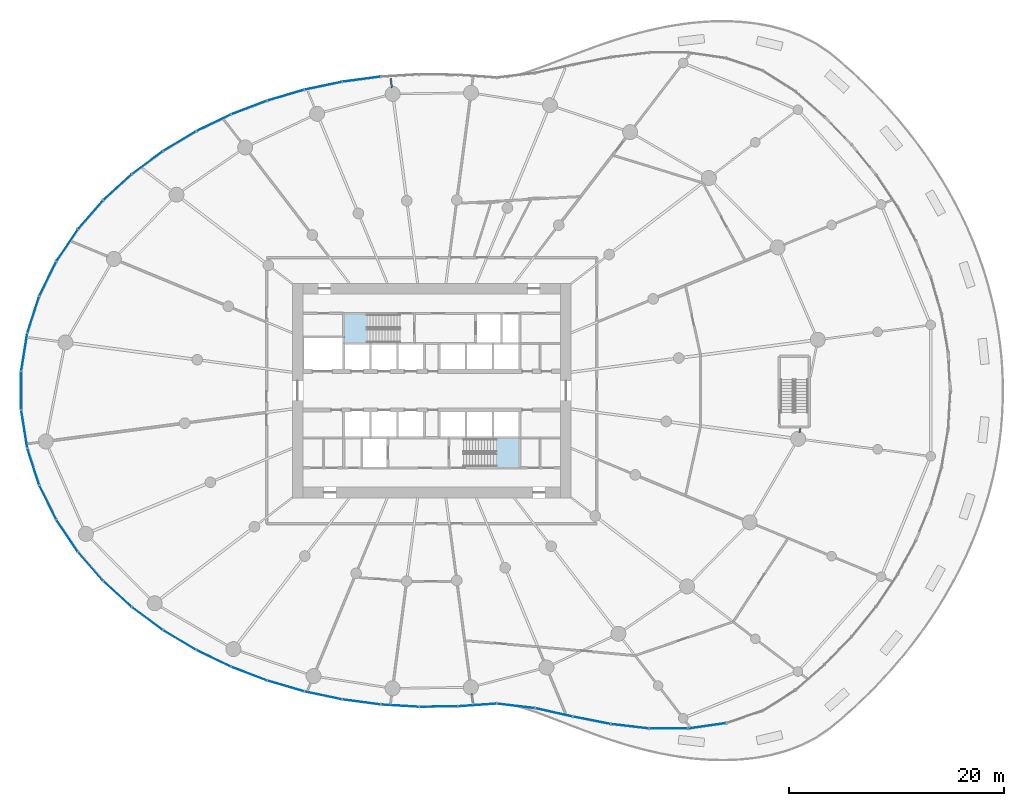
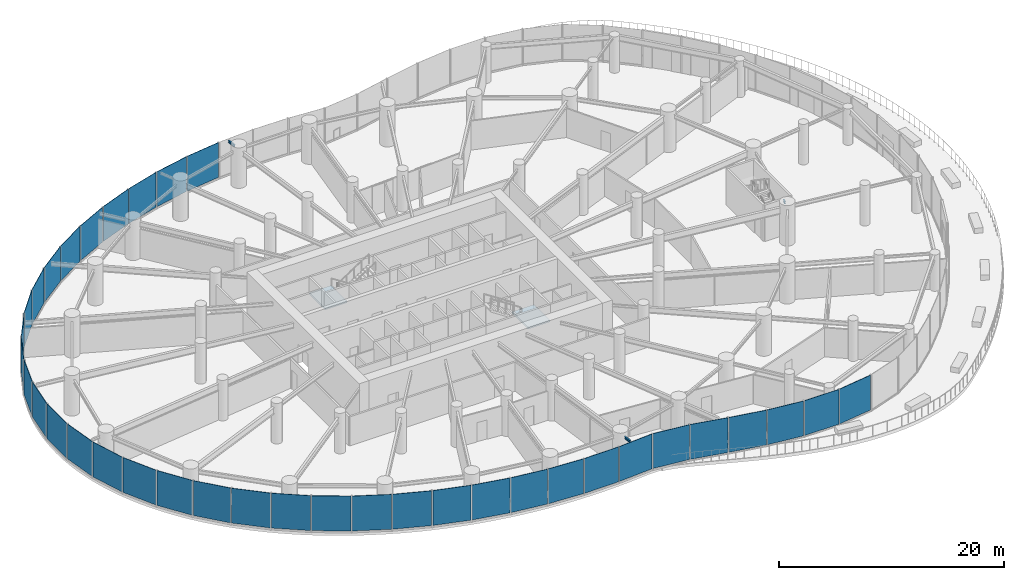
# One storey, part 9 of 21: 36 plates, 3 beams, 2 slabs, 9 elements without a shape of their own.
"""IFC4 building model written with IfcOpenShell, lengths in metres."""

from ifc_helpers import new_model, si_unit, direction, frame, origin, origin_2d, place, context, subcontext, project, spatial, line, indexed_curve, rectangle, i_section, outline, extrude, source, transform, mapped, material, layer, layer_set, material_profile, profile_set, type_object, element, aggregate, save


model = new_model("IFC4")

# Units and contexts
model_context = context("Model", 3, precision=1e-05, world=origin(), true_north=direction((0.0, 1.0)))
body_context = subcontext(model_context, "Body", "Model", "MODEL_VIEW")
ifc_project = project(units=[si_unit("LENGTHUNIT", "METRE"), si_unit("AREAUNIT", "SQUARE_METRE"), si_unit("VOLUMEUNIT", "CUBIC_METRE"), si_unit("PLANEANGLEUNIT", "RADIAN"), si_unit("MASSUNIT", "GRAM", prefix="KILO")], contexts=[model_context])

# Site, building, storey
site_placement = place(None, origin())
site = spatial("IfcSite", under=ifc_project, at=site_placement, CompositionType="ELEMENT")
building_placement = place(site_placement, origin())
building = spatial("IfcBuilding", under=site, at=building_placement, Name="Spindrift Exchange Tower", CompositionType="ELEMENT")
storey_placement = place(building_placement, frame((0.0, 0.0, 9.39990234375)))
storey = spatial("IfcBuildingStorey", under=building, at=storey_placement, Name="L02", CompositionType="ELEMENT", Elevation=9.39990234375)

# Beams
ifc_material_1 = material(Name="Steel Grade 300", Category="steel")
ifc_material_profile_1 = material_profile(ifc_material_1, i_section(OverallWidth=0.14599609375, OverallDepth=0.251953125, WebThickness=0.006103515625, FlangeThickness=0.008544921875, FilletRadius=0.011962890625, at=origin_2d()), Name="250UB31.4")
ifc_profile_set_1 = profile_set([ifc_material_profile_1], Name="Steel Grade 300")
beam_type_1 = type_object("IfcBeamType", Name="Cantilever Beam 250UB31.4 Steel Grade 300", PredefinedType="BEAM", material=ifc_profile_set_1)
shared_shape_1 = source(origin(), body_context, "Body", "SweptSolid", [
    extrude(i_section(OverallWidth=0.14599609375, OverallDepth=0.251953125, WebThickness=0.006103515625, FlangeThickness=0.008544921875, FilletRadius=0.011962890625, at=origin_2d()), origin(), (0.0, 0.0, 1.0), 0.892333984375),
])
for number, where, z_axis, x_axis, name in (
    (1, (48.28271484375, 76.236328125, 3.82421875), (-0.130765879186, 0.99141327651, 0.0), (-0.99141327651, -0.130765879186, 0.0), "L02 cantilever beam R07T"),
    (2, (55.71728515625, 19.763671875, 3.82421875), (0.130765879186, -0.99141327651, 0.0), (0.99141327651, 0.130765879186, 0.0), "L02 cantilever beam R19T"),
):
    element("IfcBeam", number, at=place(storey_placement, frame(where, z_axis=z_axis, x_axis=x_axis)), inside=storey, type_object=beam_type_1, Name=name, PredefinedType="BEAM", context=body_context, shape_type="MappedRepresentation", body=[
        mapped(shared_shape_1, transform((0.0, 0.0, 0.0), scale=1.0)),
    ])
ifc_material_profile_2 = material_profile(ifc_material_1, i_section(OverallWidth=0.14599609375, OverallDepth=0.251953125, WebThickness=0.006103515625, FlangeThickness=0.008544921875, FilletRadius=0.011962890625, at=origin_2d()), Name="250UB31.4")
ifc_profile_set_2 = profile_set([ifc_material_profile_2], Name="Steel Grade 300")
beam_type_2 = type_object("IfcBeamType", Name="Edge Beam 250UB31.4 Steel Grade 300", PredefinedType="SPANDREL", material=ifc_profile_set_2)
shared_shape_2 = source(origin(), body_context, "Body", "SweptSolid", [
    extrude(i_section(OverallWidth=0.14599609375, OverallDepth=0.251953125, WebThickness=0.006103515625, FlangeThickness=0.008544921875, FilletRadius=0.011962890625, at=origin_2d()), origin(), (0.0, 0.0, 1.0), 0.4169921875),
])
beam_placement = place(storey_placement, frame((86.27392578125, 44.071533203125, 3.82421875), z_axis=(0.194426549489, 0.9809170795, 0.0), x_axis=(-0.9809170795, 0.194426549489, 0.0)))
element("IfcBeam", 3, at=beam_placement, inside=storey, type_object=beam_type_2, Name="L02 edge beam E24a", PredefinedType="SPANDREL", context=body_context, shape_type="MappedRepresentation", body=[
    mapped(shared_shape_2, transform((0.0, 0.0, 0.0), scale=1.0)),
])

# Stair, slab
ifc_material_2 = material(Name="Concrete 50 MPa", Category="concrete")
stair_type = type_object("IfcStairType", Name="ST-1250-R183", PredefinedType="HALF_TURN_STAIR", material=ifc_material_2)
stair_1_placement = place(storey_placement, origin())
stair_1 = element("IfcStair", 4, at=stair_1_placement, inside=storey, type_object=stair_type, Name="L02 Exit stair ST1", PredefinedType="HALF_TURN_STAIR")
ifc_layer_1 = layer(ifc_material_2, 0.199951171875)
ifc_layer_set_1 = layer_set([ifc_layer_1], Name="SL-LANDING")
slab_type = type_object("IfcSlabType", Name="SL-LANDING", PredefinedType="LANDING", material=ifc_layer_set_1)
slab_1_placement = place(storey_placement, frame((0.0, 0.0, 2.0)))
slab_1 = element("IfcSlab", 5, at=slab_1_placement, type_object=slab_type, Name="ST1 landing 1", PredefinedType="LANDING", context=body_context, shape_type="SweptSolid", body=[
    extrude(outline(indexed_curve([(46.050048828125, 52.39990234375), (43.800048828125, 52.39990234375), (43.800048828125, 55.199951171875), (46.050048828125, 55.199951171875)], segments=[line(1, 2, 3, 4, 1)], self_intersect=False)), origin(), (0.0, 0.0, 1.0), 0.2001953125),
])
aggregate(stair_1, [slab_1])

stair_2_placement = place(storey_placement, origin())
stair_2 = element("IfcStair", 6, at=stair_2_placement, inside=storey, type_object=stair_type, Name="L02 Exit stair ST2", PredefinedType="HALF_TURN_STAIR")
slab_2_placement = place(storey_placement, frame((0.0, 0.0, 2.0)))
slab_2 = element("IfcSlab", 7, at=slab_2_placement, type_object=slab_type, Name="ST2 landing 1", PredefinedType="LANDING", context=body_context, shape_type="SweptSolid", body=[
    extrude(outline(indexed_curve([(57.949951171875, 43.60009765625), (60.199951171875, 43.60009765625), (60.199951171875, 40.800048828125), (57.949951171875, 40.800048828125)], segments=[line(1, 2, 3, 4, 1)], self_intersect=False)), origin(), (0.0, 0.0, 1.0), 0.2001953125),
])
aggregate(stair_2, [slab_2])

# Curtain wall, plate
ifc_material_3 = material(Name="Fritted laminated glass with bronze frame", Category="glass")
ifc_layer_2 = layer(ifc_material_3, 0.219970703125)
ifc_layer_set_2 = layer_set([ifc_layer_2], Name="PODIUM BRONZE GLAZED WALL")
curtain_wall_type = type_object("IfcCurtainWallType", Name="PODIUM BRONZE GLAZED WALL", PredefinedType="NOTDEFINED", material=ifc_layer_set_2)
curtain_wall_1_placement = place(storey_placement, origin())
curtain_wall_1 = element("IfcCurtainWall", 8, at=curtain_wall_1_placement, inside=storey, type_object=curtain_wall_type, Name="L02 Podium Bronze Glazed Wall run 5", PredefinedType="NOTDEFINED")
ifc_material_4 = material(Name="Bronze fritted laminated glass, open frit", Category="glass")
ifc_layer_3 = layer(ifc_material_4, 0.0400390625)
ifc_layer_set_3 = layer_set([ifc_layer_3], Name="PODIUM BRONZE GLAZED WALL PANEL OPEN FRIT 600")
plate_type_1 = type_object("IfcPlateType", Name="PODIUM BRONZE GLAZED WALL PANEL OPEN FRIT 600", PredefinedType="CURTAIN_PANEL", material=ifc_layer_set_3)
shared_shape_3 = source(origin(), body_context, "Body", "SweptSolid", [
    extrude(rectangle(XDim=3.5185546875, YDim=0.0400390625, at=origin_2d()), origin(), (0.0, 0.0, 1.0), 3.7900390625),
])
plate_1_placement = place(storey_placement, frame((20.18701171875, 64.390625, 0.16015625), z_axis=(0.0, 0.0, 1.0), x_axis=(-0.656426454656, -0.754390024873, 0.0)))
plate_1 = element("IfcPlate", 9, at=plate_1_placement, type_object=plate_type_1, Name="L02 panel CW-P.29", PredefinedType="CURTAIN_PANEL", context=body_context, shape_type="MappedRepresentation", body=[
    mapped(shared_shape_3, transform((0.0, 0.0, 0.0), scale=1.0)),
])

curtain_wall_2_placement = place(storey_placement, origin())
curtain_wall_2 = element("IfcCurtainWall", 10, at=curtain_wall_2_placement, inside=storey, type_object=curtain_wall_type, Name="L02 Podium Bronze Glazed Wall run 9", PredefinedType="NOTDEFINED")
shared_shape_4 = source(origin(), body_context, "Body", "SweptSolid", [
    extrude(rectangle(XDim=3.519287109375, YDim=0.0400390625, at=origin_2d()), origin(), (0.0, 0.0, 1.0), 3.7900390625),
])
plate_2_placement = place(storey_placement, frame((70.488037109375, 16.70263671875, 0.16015625), z_axis=(0.0, 0.0, 1.0), x_axis=(0.993251251773, -0.115982545462, 0.0)))
plate_2 = element("IfcPlate", 11, at=plate_2_placement, type_object=plate_type_1, Name="L02 panel CW-P.54", PredefinedType="CURTAIN_PANEL", context=body_context, shape_type="MappedRepresentation", body=[
    mapped(shared_shape_4, transform((0.0, 0.0, 0.0), scale=1.0)),
])

# Curtain wall, plates
curtain_wall_3_placement = place(storey_placement, origin())
curtain_wall_3 = element("IfcCurtainWall", 12, at=curtain_wall_3_placement, inside=storey, type_object=curtain_wall_type, Name="L02 Podium Bronze Glazed Wall run 8", PredefinedType="NOTDEFINED")
ifc_layer_4 = layer(ifc_material_4, 0.0400390625)
ifc_layer_set_4 = layer_set([ifc_layer_4], Name="PODIUM BRONZE GLAZED WALL PANEL OPEN FRIT 480")
plate_type_2 = type_object("IfcPlateType", Name="PODIUM BRONZE GLAZED WALL PANEL OPEN FRIT 480", PredefinedType="CURTAIN_PANEL", material=ifc_layer_set_4)
shared_shape_5 = source(origin(), body_context, "Body", "SweptSolid", [
    extrude(rectangle(XDim=3.519775390625, YDim=0.0400390625, at=origin_2d()), origin(), (0.0, 0.0, 1.0), 3.7900390625),
])
plate_3_placement = place(storey_placement, frame((41.89111328125, 19.57861328125, 0.16015625), z_axis=(0.0, 0.0, 1.0), x_axis=(0.978581263622, -0.205860900824, 0.0)))
plate_3 = element("IfcPlate", 13, at=plate_3_placement, type_object=plate_type_2, Name="L02 panel CW-P.46", PredefinedType="CURTAIN_PANEL", context=body_context, shape_type="MappedRepresentation", body=[
    mapped(shared_shape_5, transform((0.0, 0.0, 0.0), scale=1.0)),
])
plate_4_placement = place(storey_placement, frame((49.037109375, 18.62158203125, 0.16015625), z_axis=(0.0, 0.0, 1.0), x_axis=(0.998223123541, -0.059586874636, 0.0)))
plate_4 = element("IfcPlate", 14, at=plate_4_placement, type_object=plate_type_2, Name="L02 panel CW-P.48", PredefinedType="CURTAIN_PANEL", context=body_context, shape_type="MappedRepresentation", body=[
    mapped(shared_shape_5, transform((0.0, 0.0, 0.0), scale=1.0)),
])

# Curtain wall, plate
curtain_wall_4_placement = place(storey_placement, origin())
curtain_wall_4 = element("IfcCurtainWall", 15, at=curtain_wall_4_placement, inside=storey, type_object=curtain_wall_type, Name="L02 Podium Bronze Glazed Wall run 4", PredefinedType="NOTDEFINED")
shared_shape_6 = source(origin(), body_context, "Body", "SweptSolid", [
    extrude(rectangle(XDim=3.52001953125, YDim=0.0400390625, at=origin_2d()), origin(), (0.0, 0.0, 1.0), 3.7900390625),
])
plate_5_placement = place(storey_placement, frame((45.4462890625, 77.031982421875, 0.16015625), z_axis=(0.0, 0.0, 1.0), x_axis=(-0.99120168496, -0.13236018938, 0.0)))
plate_5 = element("IfcPlate", 16, at=plate_5_placement, type_object=plate_type_2, Name="L02 panel CW-P.21", PredefinedType="CURTAIN_PANEL", context=body_context, shape_type="MappedRepresentation", body=[
    mapped(shared_shape_6, transform((0.0, 0.0, 0.0), scale=1.0)),
])

# Plate
plate_6_placement = place(storey_placement, frame((45.4462890625, 18.968017578125, 0.16015625), z_axis=(0.0, 0.0, 1.0), x_axis=(0.99120168496, -0.13236018938, 0.0)))
plate_6 = element("IfcPlate", 17, at=plate_6_placement, type_object=plate_type_2, Name="L02 panel CW-P.47", PredefinedType="CURTAIN_PANEL", context=body_context, shape_type="MappedRepresentation", body=[
    mapped(shared_shape_6, transform((0.0, 0.0, 0.0), scale=1.0)),
])

ifc_layer_5 = layer(ifc_material_4, 0.0400390625)
ifc_layer_set_5 = layer_set([ifc_layer_5], Name="PODIUM BRONZE GLAZED WALL PANEL OPEN FRIT 360")
plate_type_3 = type_object("IfcPlateType", Name="PODIUM BRONZE GLAZED WALL PANEL OPEN FRIT 360", PredefinedType="CURTAIN_PANEL", material=ifc_layer_set_5)
shared_shape_7 = source(origin(), body_context, "Body", "SweptSolid", [
    extrude(rectangle(XDim=3.51416015625, YDim=0.0400390625, at=origin_2d()), origin(), (0.0, 0.0, 1.0), 3.7900390625),
])
plate_7_placement = place(storey_placement, frame((59.838623046875, 18.601318359375, 0.16015625), z_axis=(0.0, 0.0, 1.0), x_axis=(0.993082194643, -0.117421270149, 0.0)))
plate_7 = element("IfcPlate", 18, at=plate_7_placement, type_object=plate_type_3, Name="L02 panel CW-P.51", PredefinedType="CURTAIN_PANEL", context=body_context, shape_type="MappedRepresentation", body=[
    mapped(shared_shape_7, transform((0.0, 0.0, 0.0), scale=1.0)),
])

shared_shape_8 = source(origin(), body_context, "Body", "SweptSolid", [
    extrude(rectangle(XDim=3.51953125, YDim=0.0400390625, at=origin_2d()), origin(), (0.0, 0.0, 1.0), 3.7900390625),
])
plate_8_placement = place(storey_placement, frame((31.662353515625, 72.966064453125, 0.16015625), z_axis=(0.0, 0.0, 1.0), x_axis=(-0.900714161968, -0.434412244798, 0.0)))
plate_8 = element("IfcPlate", 19, at=plate_8_placement, type_object=plate_type_2, Name="L02 panel CW-P.25", PredefinedType="CURTAIN_PANEL", context=body_context, shape_type="MappedRepresentation", body=[
    mapped(shared_shape_8, transform((0.0, 0.0, 0.0), scale=1.0)),
])

plate_9_placement = place(storey_placement, frame((34.97412109375, 21.606689453125, 0.16015625), z_axis=(0.0, 0.0, 1.0), x_axis=(0.934336406925, -0.356392310095, 0.0)))
plate_9 = element("IfcPlate", 20, at=plate_9_placement, type_object=plate_type_2, Name="L02 panel CW-P.44", PredefinedType="CURTAIN_PANEL", context=body_context, shape_type="MappedRepresentation", body=[
    mapped(shared_shape_8, transform((0.0, 0.0, 0.0), scale=1.0)),
])

shared_shape_9 = source(origin(), body_context, "Body", "SweptSolid", [
    extrude(rectangle(XDim=3.519775390625, YDim=0.0400390625, at=origin_2d()), origin(), (0.0, 0.0, 1.0), 3.7900390625),
])
plate_10_placement = place(storey_placement, frame((41.89111328125, 76.42138671875, 0.16015625), z_axis=(0.0, 0.0, 1.0), x_axis=(-0.978581263622, -0.205860900824, 0.0)))
plate_10 = element("IfcPlate", 21, at=plate_10_placement, type_object=plate_type_3, Name="L02 panel CW-P.22", PredefinedType="CURTAIN_PANEL", context=body_context, shape_type="MappedRepresentation", body=[
    mapped(shared_shape_9, transform((0.0, 0.0, 0.0), scale=1.0)),
])

plate_11_placement = place(storey_placement, frame((38.392578125, 75.543212890625, 0.16015625), z_axis=(0.0, 0.0, 1.0), x_axis=(-0.959767074328, -0.280797370067, 0.0)))
plate_11 = element("IfcPlate", 22, at=plate_11_placement, type_object=plate_type_3, Name="L02 panel CW-P.23", PredefinedType="CURTAIN_PANEL", context=body_context, shape_type="MappedRepresentation", body=[
    mapped(shared_shape_9, transform((0.0, 0.0, 0.0), scale=1.0)),
])

plate_12_placement = place(storey_placement, frame((52.6435546875, 18.537353515625, 0.16015625), z_axis=(0.0, 0.0, 1.0), x_axis=(0.999916303619, 0.012937764785, 0.0)))
plate_12 = element("IfcPlate", 23, at=plate_12_placement, type_object=plate_type_3, Name="L02 panel CW-P.49", PredefinedType="CURTAIN_PANEL", context=body_context, shape_type="MappedRepresentation", body=[
    mapped(shared_shape_9, transform((0.0, 0.0, 0.0), scale=1.0)),
])

shared_shape_10 = source(origin(), body_context, "Body", "SweptSolid", [
    extrude(rectangle(XDim=3.519775390625, YDim=0.0400390625, at=origin_2d()), origin(), (0.0, 0.0, 1.0), 3.7900390625),
])
plate_13_placement = place(storey_placement, frame((38.392578125, 20.456787109375, 0.16015625), z_axis=(0.0, 0.0, 1.0), x_axis=(0.959767074328, -0.280797370067, 0.0)))
plate_13 = element("IfcPlate", 24, at=plate_13_placement, type_object=plate_type_1, Name="L02 panel CW-P.45", PredefinedType="CURTAIN_PANEL", context=body_context, shape_type="MappedRepresentation", body=[
    mapped(shared_shape_10, transform((0.0, 0.0, 0.0), scale=1.0)),
])

shared_shape_11 = source(origin(), body_context, "Body", "SweptSolid", [
    extrude(rectangle(XDim=3.51953125, YDim=0.0400390625, at=origin_2d()), origin(), (0.0, 0.0, 1.0), 3.7900390625),
])
plate_14_placement = place(storey_placement, frame((34.97412109375, 74.393310546875, 0.16015625), z_axis=(0.0, 0.0, 1.0), x_axis=(-0.934336406925, -0.356392310095, 0.0)))
plate_14 = element("IfcPlate", 25, at=plate_14_placement, type_object=plate_type_1, Name="L02 panel CW-P.24", PredefinedType="CURTAIN_PANEL", context=body_context, shape_type="MappedRepresentation", body=[
    mapped(shared_shape_11, transform((0.0, 0.0, 0.0), scale=1.0)),
])

aggregate(curtain_wall_4, [plate_5, plate_10, plate_11, plate_14])

plate_15_placement = place(storey_placement, frame((56.248779296875, 18.686767578125, 0.16015625), z_axis=(0.0, 0.0, 1.0), x_axis=(0.99755613022, 0.069869643347, 0.0)))
plate_15 = element("IfcPlate", 26, at=plate_15_placement, type_object=plate_type_1, Name="L02 panel CW-P.50", PredefinedType="CURTAIN_PANEL", context=body_context, shape_type="MappedRepresentation", body=[
    mapped(shared_shape_11, transform((0.0, 0.0, 0.0), scale=1.0)),
])

shared_shape_12 = source(origin(), body_context, "Body", "SweptSolid", [
    extrude(rectangle(XDim=3.519287109375, YDim=0.0400390625, at=origin_2d()), origin(), (0.0, 0.0, 1.0), 3.7900390625),
])
plate_16_placement = place(storey_placement, frame((28.488037109375, 71.25537109375, 0.16015625), z_axis=(0.0, 0.0, 1.0), x_axis=(-0.858137497333, -0.513419940859, 0.0)))
plate_16 = element("IfcPlate", 27, at=plate_16_placement, type_object=plate_type_3, Name="L02 panel CW-P.26", PredefinedType="CURTAIN_PANEL", context=body_context, shape_type="MappedRepresentation", body=[
    mapped(shared_shape_12, transform((0.0, 0.0, 0.0), scale=1.0)),
])

# Curtain wall, plate
curtain_wall_5_placement = place(storey_placement, origin())
curtain_wall_5 = element("IfcCurtainWall", 28, at=curtain_wall_5_placement, inside=storey, type_object=curtain_wall_type, Name="L02 Podium Bronze Glazed Wall run 7", PredefinedType="NOTDEFINED")
plate_17_placement = place(storey_placement, frame((28.488037109375, 24.74462890625, 0.16015625), z_axis=(0.0, 0.0, 1.0), x_axis=(0.858137497333, -0.513419940859, 0.0)))
plate_17 = element("IfcPlate", 29, at=plate_17_placement, type_object=plate_type_3, Name="L02 panel CW-P.42", PredefinedType="CURTAIN_PANEL", context=body_context, shape_type="MappedRepresentation", body=[
    mapped(shared_shape_12, transform((0.0, 0.0, 0.0), scale=1.0)),
])

# Plate
shared_shape_13 = source(origin(), body_context, "Body", "SweptSolid", [
    extrude(rectangle(XDim=3.51904296875, YDim=0.0400390625, at=origin_2d()), origin(), (0.0, 0.0, 1.0), 3.7900390625),
])
plate_18_placement = place(storey_placement, frame((25.487548828125, 69.257568359375, 0.16015625), z_axis=(0.0, 0.0, 1.0), x_axis=(-0.804657591448, -0.59373913508, 0.0)))
plate_18 = element("IfcPlate", 30, at=plate_18_placement, type_object=plate_type_1, Name="L02 panel CW-P.27", PredefinedType="CURTAIN_PANEL", context=body_context, shape_type="MappedRepresentation", body=[
    mapped(shared_shape_13, transform((0.0, 0.0, 0.0), scale=1.0)),
])

plate_19_placement = place(storey_placement, frame((25.487548828125, 26.742431640625, 0.16015625), z_axis=(0.0, 0.0, 1.0), x_axis=(0.804657591448, -0.59373913508, 0.0)))
plate_19 = element("IfcPlate", 31, at=plate_19_placement, type_object=plate_type_1, Name="L02 panel CW-P.41", PredefinedType="CURTAIN_PANEL", context=body_context, shape_type="MappedRepresentation", body=[
    mapped(shared_shape_13, transform((0.0, 0.0, 0.0), scale=1.0)),
])

shared_shape_14 = source(origin(), body_context, "Body", "SweptSolid", [
    extrude(rectangle(XDim=3.518798828125, YDim=0.0400390625, at=origin_2d()), origin(), (0.0, 0.0, 1.0), 3.7900390625),
])
plate_20_placement = place(storey_placement, frame((22.70361328125, 66.968994140625, 0.16015625), z_axis=(0.0, 0.0, 1.0), x_axis=(-0.738228160956, -0.674551096931, 0.0)))
plate_20 = element("IfcPlate", 32, at=plate_20_placement, type_object=plate_type_3, Name="L02 panel CW-P.28", PredefinedType="CURTAIN_PANEL", context=body_context, shape_type="MappedRepresentation", body=[
    mapped(shared_shape_14, transform((0.0, 0.0, 0.0), scale=1.0)),
])

plate_21_placement = place(storey_placement, frame((22.70361328125, 29.031005859375, 0.16015625), z_axis=(0.0, 0.0, 1.0), x_axis=(0.738228160956, -0.674551096931, 0.0)))
plate_21 = element("IfcPlate", 33, at=plate_21_placement, type_object=plate_type_3, Name="L02 panel CW-P.40", PredefinedType="CURTAIN_PANEL", context=body_context, shape_type="MappedRepresentation", body=[
    mapped(shared_shape_14, transform((0.0, 0.0, 0.0), scale=1.0)),
])

shared_shape_15 = source(origin(), body_context, "Body", "SweptSolid", [
    extrude(rectangle(XDim=3.51806640625, YDim=0.0400390625, at=origin_2d()), origin(), (0.0, 0.0, 1.0), 3.7900390625),
])
plate_22_placement = place(storey_placement, frame((17.9951171875, 61.533203125, 0.16015625), z_axis=(0.0, 0.0, 1.0), x_axis=(-0.558448949582, -0.829538890415, 0.0)))
plate_22 = element("IfcPlate", 34, at=plate_22_placement, type_object=plate_type_3, Name="L02 panel CW-P.30", PredefinedType="CURTAIN_PANEL", context=body_context, shape_type="MappedRepresentation", body=[
    mapped(shared_shape_15, transform((0.0, 0.0, 0.0), scale=1.0)),
])

aggregate(curtain_wall_1, [plate_8, plate_16, plate_18, plate_20, plate_1, plate_22])

plate_23_placement = place(storey_placement, frame((17.9951171875, 34.466796875, 0.16015625), z_axis=(0.0, 0.0, 1.0), x_axis=(0.558448949582, -0.829538890415, 0.0)))
plate_23 = element("IfcPlate", 35, at=plate_23_placement, type_object=plate_type_3, Name="L02 panel CW-P.38", PredefinedType="CURTAIN_PANEL", context=body_context, shape_type="MappedRepresentation", body=[
    mapped(shared_shape_15, transform((0.0, 0.0, 0.0), scale=1.0)),
])

# Curtain wall, plates
curtain_wall_6_placement = place(storey_placement, origin())
curtain_wall_6 = element("IfcCurtainWall", 36, at=curtain_wall_6_placement, inside=storey, type_object=curtain_wall_type, Name="L02 Podium Bronze Glazed Wall run 6", PredefinedType="NOTDEFINED")
shared_shape_16 = source(origin(), body_context, "Body", "SweptSolid", [
    extrude(rectangle(XDim=3.517578125, YDim=0.0400390625, at=origin_2d()), origin(), (0.0, 0.0, 1.0), 3.7900390625),
])
plate_24_placement = place(storey_placement, frame((16.19287109375, 58.41748046875, 0.16015625), z_axis=(0.0, 0.0, 1.0), x_axis=(-0.440738345903, -0.897635622316, 0.0)))
plate_24 = element("IfcPlate", 37, at=plate_24_placement, type_object=plate_type_1, Name="L02 panel CW-P.31", PredefinedType="CURTAIN_PANEL", context=body_context, shape_type="MappedRepresentation", body=[
    mapped(shared_shape_16, transform((0.0, 0.0, 0.0), scale=1.0)),
])
shared_shape_17 = source(origin(), body_context, "Body", "SweptSolid", [
    extrude(rectangle(XDim=3.51708984375, YDim=0.0400390625, at=origin_2d()), origin(), (0.0, 0.0, 1.0), 3.7900390625),
])
plate_25_placement = place(storey_placement, frame((14.843994140625, 55.081787109375, 0.16015625), z_axis=(0.0, 0.0, 1.0), x_axis=(-0.306972937508, -0.951718243829, 0.0)))
plate_25 = element("IfcPlate", 38, at=plate_25_placement, type_object=plate_type_3, Name="L02 panel CW-P.32", PredefinedType="CURTAIN_PANEL", context=body_context, shape_type="MappedRepresentation", body=[
    mapped(shared_shape_17, transform((0.0, 0.0, 0.0), scale=1.0)),
])
shared_shape_18 = source(origin(), body_context, "Body", "SweptSolid", [
    extrude(rectangle(XDim=3.516845703125, YDim=0.0400390625, at=origin_2d()), origin(), (0.0, 0.0, 1.0), 3.7900390625),
])
plate_26_placement = place(storey_placement, frame((14.007080078125, 51.584228515625, 0.16015625), z_axis=(0.0, 0.0, 1.0), x_axis=(-0.157120516102, -0.987579436511, 0.0)))
plate_26 = element("IfcPlate", 39, at=plate_26_placement, type_object=plate_type_1, Name="L02 panel CW-P.33", PredefinedType="CURTAIN_PANEL", context=body_context, shape_type="MappedRepresentation", body=[
    mapped(shared_shape_18, transform((0.0, 0.0, 0.0), scale=1.0)),
])
plate_27_placement = place(storey_placement, frame((14.007080078125, 44.415771484375, 0.16015625), z_axis=(0.0, 0.0, 1.0), x_axis=(0.157120516102, -0.987579436511, 0.0)))
plate_27 = element("IfcPlate", 40, at=plate_27_placement, type_object=plate_type_1, Name="L02 panel CW-P.35", PredefinedType="CURTAIN_PANEL", context=body_context, shape_type="MappedRepresentation", body=[
    mapped(shared_shape_18, transform((0.0, 0.0, 0.0), scale=1.0)),
])
shared_shape_19 = source(origin(), body_context, "Body", "SweptSolid", [
    extrude(rectangle(XDim=3.5166015625, YDim=0.0400390625, at=origin_2d()), origin(), (0.0, 0.0, 1.0), 3.7900390625),
])
plate_28_placement = place(storey_placement, frame((13.723876953125, 48.0, 0.16015625), z_axis=(0.0, 0.0, 1.0), x_axis=(0.0, -1.0, 0.0)))
plate_28 = element("IfcPlate", 41, at=plate_28_placement, type_object=plate_type_2, Name="L02 panel CW-P.34", PredefinedType="CURTAIN_PANEL", context=body_context, shape_type="MappedRepresentation", body=[
    mapped(shared_shape_19, transform((0.0, 0.0, 0.0), scale=1.0)),
])
shared_shape_20 = source(origin(), body_context, "Body", "SweptSolid", [
    extrude(rectangle(XDim=3.51708984375, YDim=0.0400390625, at=origin_2d()), origin(), (0.0, 0.0, 1.0), 3.7900390625),
])
plate_29_placement = place(storey_placement, frame((14.843994140625, 40.918212890625, 0.16015625), z_axis=(0.0, 0.0, 1.0), x_axis=(0.306972937508, -0.951718243829, 0.0)))
plate_29 = element("IfcPlate", 42, at=plate_29_placement, type_object=plate_type_1, Name="L02 panel CW-P.36", PredefinedType="CURTAIN_PANEL", context=body_context, shape_type="MappedRepresentation", body=[
    mapped(shared_shape_20, transform((0.0, 0.0, 0.0), scale=1.0)),
])
aggregate(curtain_wall_6, [plate_24, plate_25, plate_26, plate_28, plate_27, plate_29])

# Plate
shared_shape_21 = source(origin(), body_context, "Body", "SweptSolid", [
    extrude(rectangle(XDim=3.517578125, YDim=0.0400390625, at=origin_2d()), origin(), (0.0, 0.0, 1.0), 3.7900390625),
])
plate_30_placement = place(storey_placement, frame((16.19287109375, 37.58251953125, 0.16015625), z_axis=(0.0, 0.0, 1.0), x_axis=(0.440738345903, -0.897635622316, 0.0)))
plate_30 = element("IfcPlate", 43, at=plate_30_placement, type_object=plate_type_2, Name="L02 panel CW-P.37", PredefinedType="CURTAIN_PANEL", context=body_context, shape_type="MappedRepresentation", body=[
    mapped(shared_shape_21, transform((0.0, 0.0, 0.0), scale=1.0)),
])

shared_shape_22 = source(origin(), body_context, "Body", "SweptSolid", [
    extrude(rectangle(XDim=3.5185546875, YDim=0.0400390625, at=origin_2d()), origin(), (0.0, 0.0, 1.0), 3.7900390625),
])
plate_31_placement = place(storey_placement, frame((20.18701171875, 31.609375, 0.16015625), z_axis=(0.0, 0.0, 1.0), x_axis=(0.656426454656, -0.754390024873, 0.0)))
plate_31 = element("IfcPlate", 44, at=plate_31_placement, type_object=plate_type_3, Name="L02 panel CW-P.39", PredefinedType="CURTAIN_PANEL", context=body_context, shape_type="MappedRepresentation", body=[
    mapped(shared_shape_22, transform((0.0, 0.0, 0.0), scale=1.0)),
])

aggregate(curtain_wall_5, [plate_30, plate_23, plate_31, plate_21, plate_19, plate_17])

shared_shape_23 = source(origin(), body_context, "Body", "SweptSolid", [
    extrude(rectangle(XDim=3.51953125, YDim=0.0400390625, at=origin_2d()), origin(), (0.0, 0.0, 1.0), 3.7900390625),
])
plate_32_placement = place(storey_placement, frame((31.662353515625, 23.033935546875, 0.16015625), z_axis=(0.0, 0.0, 1.0), x_axis=(0.900714161968, -0.434412244798, 0.0)))
plate_32 = element("IfcPlate", 45, at=plate_32_placement, type_object=plate_type_3, Name="L02 panel CW-P.43", PredefinedType="CURTAIN_PANEL", context=body_context, shape_type="MappedRepresentation", body=[
    mapped(shared_shape_23, transform((0.0, 0.0, 0.0), scale=1.0)),
])

aggregate(curtain_wall_3, [plate_32, plate_9, plate_13, plate_3, plate_6, plate_4])

shared_shape_24 = source(origin(), body_context, "Body", "SweptSolid", [
    extrude(rectangle(XDim=3.5205078125, YDim=0.0400390625, at=origin_2d()), origin(), (0.0, 0.0, 1.0), 3.7900390625),
])
plate_33_placement = place(storey_placement, frame((63.39111328125, 18.0, 0.16015625), z_axis=(0.0, 0.0, 1.0), x_axis=(0.976410708244, -0.215921580271, 0.0)))
plate_33 = element("IfcPlate", 46, at=plate_33_placement, type_object=plate_type_3, Name="L02 panel CW-P.52", PredefinedType="CURTAIN_PANEL", context=body_context, shape_type="MappedRepresentation", body=[
    mapped(shared_shape_24, transform((0.0, 0.0, 0.0), scale=1.0)),
])

shared_shape_25 = source(origin(), body_context, "Body", "SweptSolid", [
    extrude(rectangle(XDim=3.52001953125, YDim=0.0400390625, at=origin_2d()), origin(), (0.0, 0.0, 1.0), 3.7900390625),
])
plate_34_placement = place(storey_placement, frame((66.924560546875, 17.260986328125, 0.16015625), z_axis=(0.0, 0.0, 1.0), x_axis=(0.981124620762, -0.193376520121, 0.0)))
plate_34 = element("IfcPlate", 47, at=plate_34_placement, type_object=plate_type_3, Name="L02 panel CW-P.53", PredefinedType="CURTAIN_PANEL", context=body_context, shape_type="MappedRepresentation", body=[
    mapped(shared_shape_25, transform((0.0, 0.0, 0.0), scale=1.0)),
])

aggregate(curtain_wall_2, [plate_12, plate_15, plate_7, plate_33, plate_34, plate_2])

# Curtain wall, plates
curtain_wall_7_placement = place(storey_placement, origin())
curtain_wall_7 = element("IfcCurtainWall", 48, at=curtain_wall_7_placement, inside=storey, type_object=curtain_wall_type, Name="L02 Podium Bronze Glazed Wall run 10", PredefinedType="NOTDEFINED")
shared_shape_26 = source(origin(), body_context, "Body", "SweptSolid", [
    extrude(rectangle(XDim=3.517822265625, YDim=0.0400390625, at=origin_2d()), origin(), (0.0, 0.0, 1.0), 3.7900390625),
])
plate_35_placement = place(storey_placement, frame((74.08447265625, 16.488525390625, 0.16015625), z_axis=(0.0, 0.0, 1.0), x_axis=(0.999996531809, -0.002633698797, 0.0)))
plate_35 = element("IfcPlate", 49, at=plate_35_placement, type_object=plate_type_1, Name="L02 panel CW-P.55", PredefinedType="CURTAIN_PANEL", context=body_context, shape_type="MappedRepresentation", body=[
    mapped(shared_shape_26, transform((0.0, 0.0, 0.0), scale=1.0)),
])
shared_shape_27 = source(origin(), body_context, "Body", "SweptSolid", [
    extrude(rectangle(XDim=3.516357421875, YDim=0.0400390625, at=origin_2d()), origin(), (0.0, 0.0, 1.0), 3.7900390625),
])
plate_36_placement = place(storey_placement, frame((77.672607421875, 16.74365234375, 0.16015625), z_axis=(0.0, 0.0, 1.0), x_axis=(0.989570085425, 0.144052233693, 0.0)))
plate_36 = element("IfcPlate", 50, at=plate_36_placement, type_object=plate_type_3, Name="L02 panel CW-P.56", PredefinedType="CURTAIN_PANEL", context=body_context, shape_type="MappedRepresentation", body=[
    mapped(shared_shape_27, transform((0.0, 0.0, 0.0), scale=1.0)),
])
aggregate(curtain_wall_7, [plate_35, plate_36])

save(model, "model.ifc")
